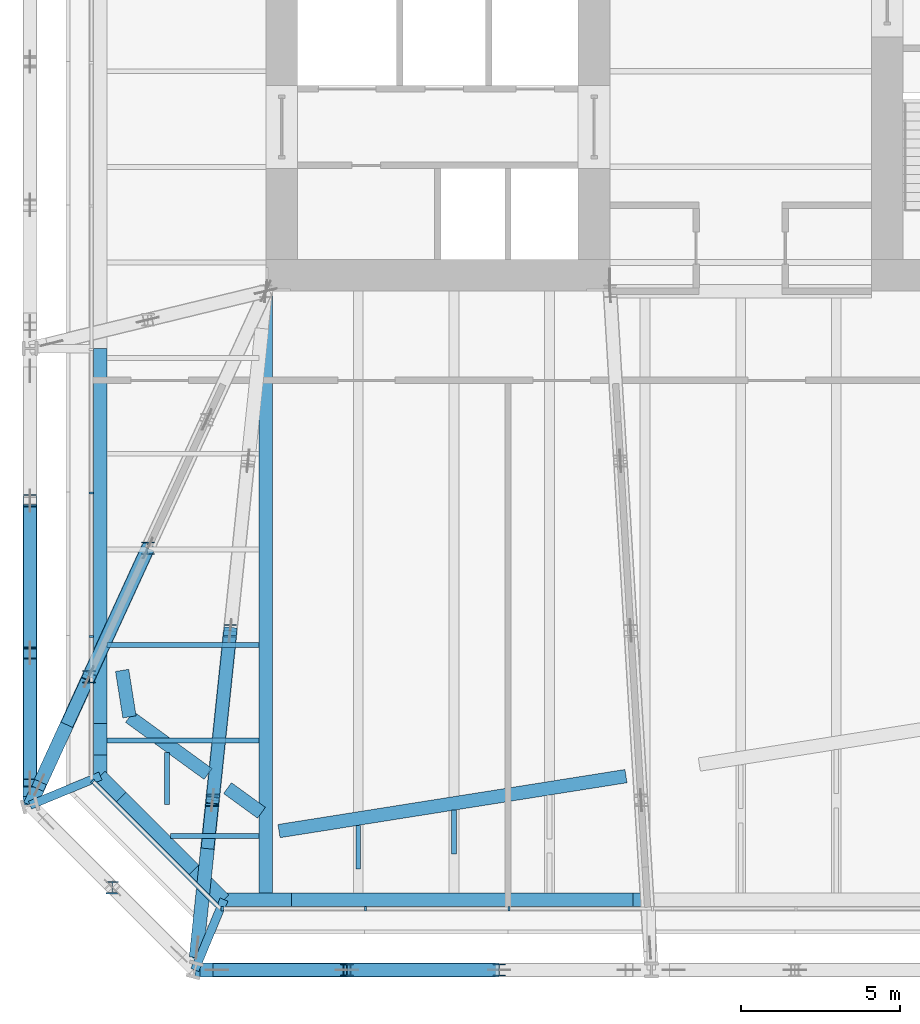
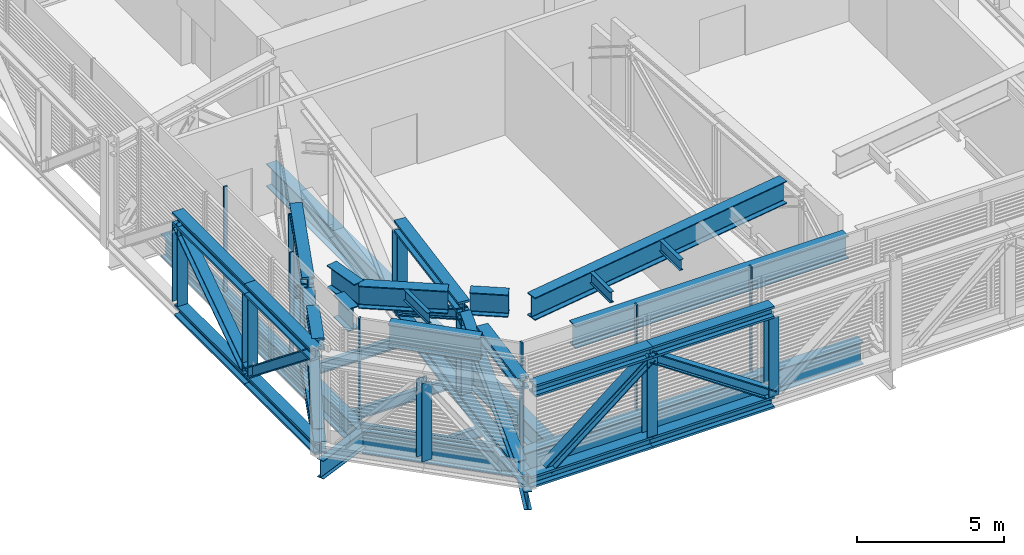
# One storey, part 2 of 31: 35 beams, 24 members, 3 elements without a shape of their own.
"""IFC4 building model written with IfcOpenShell, lengths in metres."""

import ifcopenshell
import ifcopenshell.guid

model = None  # the IFC model being written
_history = None  # IfcOwnerHistory: only IFC2X3 demands one
_inside = {}  # id of a spatial element -> (the spatial element, [elements in it])
_under = {}  # id of a project, library or spatial element -> (it, [spatial elements below it])
_declared = {}  # id of a project -> (the project, [libraries it declares])
_typed = {}  # id of a type object -> (the type object, [elements of that type])
_made_of = {}  # id of a material, layer set ... -> (it, [elements and type objects made of it])


def new_model(schema):
    """Start an empty IFC model of exactly this schema.

    Asked for "IFC4X3", IfcOpenShell would pick the latest addendum, in which some entities
    have other attributes; the version numbers below select the first issue.
    IFC2X3 requires an IfcOwnerHistory on every rooted entity: one is made here for all.
    """
    global model, _history
    if schema == "IFC4X3":
        model = ifcopenshell.file(schema_version=(4, 3, 0, 0))
    else:
        model = ifcopenshell.file(schema=schema)
    _inside.clear()
    _under.clear()
    _declared.clear()
    _typed.clear()
    _made_of.clear()
    _history = None
    if model.schema == "IFC2X3":
        org = make("IfcOrganization", Name="unknown")
        user = make(
            "IfcPersonAndOrganization",
            ThePerson=make("IfcPerson", FamilyName="unknown"),
            TheOrganization=org,
        )
        app = make(
            "IfcApplication",
            ApplicationDeveloper=org,
            Version="unknown",
            ApplicationFullName="unknown",
            ApplicationIdentifier="unknown",
        )
        _history = make(
            "IfcOwnerHistory",
            OwningUser=user,
            OwningApplication=app,
            ChangeAction="ADDED",
            CreationDate=0,
        )
    return model


def make(cls, **values):
    """One entity of the class cls with the attributes given. An attribute that is None is left unset."""
    return model.create_entity(
        cls, **{name: value for name, value in values.items() if value is not None}
    )


def rooted(cls, **values):
    """An entity with a GlobalId (a new one), such as an element, a storey or a relation."""
    return make(cls, GlobalId=ifcopenshell.guid.new(), OwnerHistory=_history, **values)


def si_unit(unit_type, name, prefix=None):
    """IfcSIUnit, for example si_unit("LENGTHUNIT", "METRE", prefix="MILLI")."""
    return make("IfcSIUnit", UnitType=unit_type, Prefix=prefix, Name=name)


def assignment(units):
    """IfcUnitAssignment: the units of a project."""
    return None if units is None else make("IfcUnitAssignment", Units=units)


def point(xyz):
    """IfcCartesianPoint."""
    return None if xyz is None else make("IfcCartesianPoint", Coordinates=xyz)


def direction(xyz):
    """IfcDirection."""
    return None if xyz is None else make("IfcDirection", DirectionRatios=xyz)


def frame(location, z_axis=None, x_axis=None):
    """IfcAxis2Placement3D, a coordinate frame: its origin and axes. An axis left out is left unset."""
    return make(
        "IfcAxis2Placement3D",
        Location=point(location),
        Axis=direction(z_axis),
        RefDirection=direction(x_axis),
    )


def frame_2d(location, x_axis=None):
    """IfcAxis2Placement2D, a coordinate frame in the plane: its origin and x axis."""
    return make(
        "IfcAxis2Placement2D", Location=point(location), RefDirection=direction(x_axis)
    )


def origin():
    """The frame at (0, 0, 0) with its axes left unset."""
    return frame((0.0, 0.0, 0.0))


def origin_2d():
    """The frame at (0, 0) in the plane with its x axis left unset."""
    return frame_2d((0.0, 0.0))


def place(relative_to, where):
    """IfcLocalPlacement: puts the frame where relative to a parent placement (None: the world)."""
    return make(
        "IfcLocalPlacement", PlacementRelTo=relative_to, RelativePlacement=where
    )


def context(
    kind, dimensions, precision=None, world=None, true_north=None, identifier=None
):
    """IfcGeometricRepresentationContext, for example the 3D "Model" context."""
    return make(
        "IfcGeometricRepresentationContext",
        ContextIdentifier=identifier,
        ContextType=kind,
        CoordinateSpaceDimension=dimensions,
        Precision=precision,
        WorldCoordinateSystem=world,
        TrueNorth=true_north,
    )


def subcontext(parent, identifier, kind, view, scale=None):
    """IfcGeometricRepresentationSubContext, for example "Body" below "Model"."""
    return make(
        "IfcGeometricRepresentationSubContext",
        ContextIdentifier=identifier,
        ContextType=kind,
        ParentContext=parent,
        TargetScale=scale,
        TargetView=view,
    )


def project(units=None, contexts=None):
    """IfcProject with its units and contexts."""
    return rooted(
        "IfcProject",
        Name="project",
        RepresentationContexts=contexts,
        UnitsInContext=assignment(units),
    )


def spatial(cls, under=None, at=None, **own):
    """A site, building, storey or space (cls), placed at a placement, below another one or the project."""
    s = rooted(cls, ObjectPlacement=at, **own)
    if under is not None:
        _under.setdefault(under.id(), (under, []))[1].append(s)
    return s


def profile(cls, at=None, kind="AREA", **sizes):
    """A parametric profile (cls). Its sizes go by their IFC names, for example OverallWidth=200.0."""
    return make(cls, ProfileType=kind, Position=at, **sizes)


def rectangle(**sizes):
    """IfcRectangleProfileDef."""
    return profile("IfcRectangleProfileDef", **sizes)


def i_section(**sizes):
    """IfcIShapeProfileDef."""
    return profile("IfcIShapeProfileDef", **sizes)


def extrude(swept, where, along, depth):
    """IfcExtrudedAreaSolid: the profile swept, set in the frame where, extruded along a direction by depth."""
    return make(
        "IfcExtrudedAreaSolid",
        SweptArea=swept,
        Position=where,
        ExtrudedDirection=direction(along),
        Depth=depth,
    )


def shape(context_of_items, identifier, shape_type, items):
    """IfcShapeRepresentation: the items that make up one representation, for example the "Body"."""
    return make(
        "IfcShapeRepresentation",
        ContextOfItems=context_of_items,
        RepresentationIdentifier=identifier,
        RepresentationType=shape_type,
        Items=items,
    )


def material(Name=None, Category=None):
    """IfcMaterial."""
    return make("IfcMaterial", Name=Name, Category=Category)


def layer(
    of_material, thickness, ventilated=None, Name=None, Category=None, Priority=None
):
    """IfcMaterialLayer: one layer of a wall or slab, of a material (None: an air gap)."""
    return make(
        "IfcMaterialLayer",
        Material=of_material,
        LayerThickness=thickness,
        IsVentilated=ventilated,
        Name=Name,
        Category=Category,
        Priority=Priority,
    )


def layer_set(layers, Name=None):
    """IfcMaterialLayerSet."""
    return make("IfcMaterialLayerSet", MaterialLayers=layers, LayerSetName=Name)


def material_profile(
    of_material, cross_section, Name=None, Category=None, Priority=None
):
    """IfcMaterialProfile: a cross section and its material."""
    return make(
        "IfcMaterialProfile",
        Name=Name,
        Material=of_material,
        Profile=cross_section,
        Priority=Priority,
        Category=Category,
    )


def profile_set(profiles, Name=None, composite=None):
    """IfcMaterialProfileSet."""
    return make(
        "IfcMaterialProfileSet",
        Name=Name,
        MaterialProfiles=profiles,
        CompositeProfile=composite,
    )


def made_of(thing, what):
    """Note that an element or type object is made of a material, layer set ...; save() writes the relation."""
    if what is not None:
        _made_of.setdefault(what.id(), (what, []))[1].append(thing)
    return thing


def type_object(cls, material=None, **own):
    """A type object (cls), such as IfcWallType, which elements share."""
    return made_of(rooted(cls, **own), material)


def element(
    cls,
    number,
    at=None,
    inside=None,
    cuts=None,
    type_object=None,
    material=None,
    context=None,
    identifier="Body",
    shape_type=None,
    held_by="IfcProductDefinitionShape",
    body=None,
    shapes=None,
    **own,
):
    """One element of the class cls, such as IfcWall. Its Tag is "e" and its number.

    at: its placement. inside: the storey or other place that contains it. cuts: it is an
    opening in that element (IfcRelVoidsElement). A single representation is given by context,
    identifier, shape_type and body (its items); several are given by shapes. held_by: the class
    of the entity that holds the representations. save() writes the other relations.
    """
    e = rooted(cls, Tag="e%d" % number, ObjectPlacement=at, **own)
    if body is not None:
        shapes = [shape(context, identifier, shape_type, body)]
    if shapes is not None:
        e.Representation = make(held_by, Representations=shapes)
    if inside is not None:
        _inside.setdefault(inside.id(), (inside, []))[1].append(e)
    if cuts is not None:
        rooted(
            "IfcRelVoidsElement", RelatingBuildingElement=cuts, RelatedOpeningElement=e
        )
    if type_object is not None:
        _typed.setdefault(type_object.id(), (type_object, []))[1].append(e)
    return made_of(e, material)


def aggregate(whole, parts):
    """IfcRelAggregates: a whole, such as a stair, and the parts it consists of."""
    return rooted("IfcRelAggregates", RelatingObject=whole, RelatedObjects=parts)


def save(model, path):
    """Write the relations noted so far, then the file.

    IfcRelAggregates (storeys below a building ...), IfcRelContainedInSpatialStructure (elements
    in a storey), IfcRelDefinesByType, IfcRelAssociatesMaterial and IfcRelDeclares: one each for
    every whole, place, type object, material and project.
    """
    for whole, parts in _under.values():
        aggregate(whole, parts)
    for where, things in _inside.values():
        rooted(
            "IfcRelContainedInSpatialStructure",
            RelatedElements=things,
            RelatingStructure=where,
        )
    for kind, things in _typed.values():
        rooted("IfcRelDefinesByType", RelatedObjects=things, RelatingType=kind)
    for what, things in _made_of.values():
        rooted("IfcRelAssociatesMaterial", RelatedObjects=things, RelatingMaterial=what)
    for by, libraries in _declared.values():
        rooted("IfcRelDeclares", RelatingContext=by, RelatedDefinitions=libraries)
    model.write(path)


model = new_model("IFC4")

# Units and contexts
model_context = context("Model", 3, precision=1e-05, world=origin(), true_north=direction((0.0, 1.0)))
body_context = subcontext(model_context, "Body", "Model", "MODEL_VIEW")
ifc_project = project(units=[si_unit("LENGTHUNIT", "METRE"), si_unit("AREAUNIT", "SQUARE_METRE"), si_unit("VOLUMEUNIT", "CUBIC_METRE"), si_unit("PLANEANGLEUNIT", "RADIAN"), si_unit("MASSUNIT", "GRAM", prefix="KILO")], contexts=[model_context])

# Site, building, storey
site_placement = place(None, origin())
site = spatial("IfcSite", under=ifc_project, at=site_placement, CompositionType="ELEMENT")
building_placement = place(site_placement, origin())
building = spatial("IfcBuilding", under=site, at=building_placement, Name="Millrace Tower", CompositionType="ELEMENT")
storey_placement = place(building_placement, frame((0.0, 0.0, 120.39990234375)))
storey = spatial("IfcBuildingStorey", under=building, at=storey_placement, Name="L26", CompositionType="ELEMENT", Elevation=120.39990234375)

# Beams
ifc_material_1 = material(Name="Steel ASTM A992 Grade 50", Category="steel")
ifc_material_profile_1 = material_profile(ifc_material_1, i_section(OverallWidth=0.431884765625, OverallDepth=0.497802734375, WebThickness=0.0556640625, FlangeThickness=0.0888671875, FilletRadius=0.01513671875, at=origin_2d()))
ifc_profile_set_1 = profile_set([ifc_material_profile_1], Name="Steel ASTM A992 Grade 50")
beam_type_1 = type_object("IfcBeamType", Name="Belt truss chord W14x500", PredefinedType="BEAM", material=ifc_profile_set_1)
for number, where, z_axis, x_axis, name in (
    (1, (-17.12841796875, -31.199951171875, 0.2490234375), (1.0, 0.0, 0.0), (0.0, 1.0, 0.0), "BLT-L26-R02-B01"),
    (2, (-12.352294921875, -31.199951171875, 0.2490234375), (1.0, 0.0, 0.0), (0.0, 1.0, 0.0), "BLT-L26-R02-B02"),
    (3, (-12.352294921875, -31.199951171875, 3.9912109375), (1.0, 0.0, 0.0), (0.0, 1.0, 0.0), "BLT-L26-R02-T02"),
    (4, (-22.300048828125, -16.47607421875, 0.2490234375), (0.0, -1.0, 0.0), (1.0, 0.0, 0.0), "BLT-L26-R16-B02"),
):
    element("IfcBeam", number, at=place(storey_placement, frame(where, z_axis=z_axis, x_axis=x_axis)), inside=storey, type_object=beam_type_1, Name=name, PredefinedType="BEAM", context=body_context, shape_type="SweptSolid", body=[
        extrude(i_section(OverallWidth=0.431884765625, OverallDepth=0.497802734375, WebThickness=0.0556640625, FlangeThickness=0.0888671875, FilletRadius=0.01513671875, at=origin_2d()), origin(), (0.0, 0.0, 1.0), 4.776123046875),
    ])
beam_1_placement = place(storey_placement, frame((-22.300048828125, -16.328125, 3.9912109375), z_axis=(0.0, -1.0, 0.0), x_axis=(1.0, 0.0, 0.0)))
element("IfcBeam", 5, at=beam_1_placement, inside=storey, type_object=beam_type_1, Name="BLT-L26-R16-T02", PredefinedType="BEAM", context=body_context, shape_type="SweptSolid", body=[
    extrude(i_section(OverallWidth=0.431884765625, OverallDepth=0.497802734375, WebThickness=0.0556640625, FlangeThickness=0.0888671875, FilletRadius=0.01513671875, at=origin_2d()), origin(), (0.0, 0.0, 1.0), 4.924072265625),
])
beam_2_placement = place(storey_placement, frame((-22.300048828125, -21.252197265625, 0.2490234375), z_axis=(0.0, -1.0, 0.0), x_axis=(1.0, 0.0, 0.0)))
element("IfcBeam", 6, at=beam_2_placement, inside=storey, type_object=beam_type_1, Name="BLT-L26-R16-B03", PredefinedType="BEAM", context=body_context, shape_type="SweptSolid", body=[
    extrude(i_section(OverallWidth=0.431884765625, OverallDepth=0.497802734375, WebThickness=0.0556640625, FlangeThickness=0.0888671875, FilletRadius=0.01513671875, at=origin_2d()), origin(), (0.0, 0.0, 1.0), 4.776123046875),
])
beam_3_placement = place(storey_placement, frame((-16.9599609375, -31.199951171875, 3.9912109375), z_axis=(1.0, 0.0, 0.0), x_axis=(0.0, 1.0, 0.0)))
element("IfcBeam", 7, at=beam_3_placement, inside=storey, type_object=beam_type_1, Name="BLT-L26-R02-T01", PredefinedType="BEAM", context=body_context, shape_type="SweptSolid", body=[
    extrude(i_section(OverallWidth=0.431884765625, OverallDepth=0.497802734375, WebThickness=0.0556640625, FlangeThickness=0.0888671875, FilletRadius=0.01513671875, at=origin_2d()), origin(), (0.0, 0.0, 1.0), 4.607666015625),
])
beam_4_placement = place(storey_placement, frame((-22.300048828125, -21.252197265625, 3.9912109375), z_axis=(0.0, -1.0, 0.0), x_axis=(1.0, 0.0, 0.0)))
element("IfcBeam", 8, at=beam_4_placement, inside=storey, type_object=beam_type_1, Name="BLT-L26-R16-T03", PredefinedType="BEAM", context=body_context, shape_type="SweptSolid", body=[
    extrude(i_section(OverallWidth=0.431884765625, OverallDepth=0.497802734375, WebThickness=0.0556640625, FlangeThickness=0.0888671875, FilletRadius=0.01513671875, at=origin_2d()), origin(), (0.0, 0.0, 1.0), 4.50341796875),
])

# Members
ifc_material_2 = material(Name="Steel ASTM A992 Grade 50", Category="steel")
ifc_material_profile_2 = material_profile(ifc_material_2, i_section(OverallWidth=0.4013671875, OverallDepth=0.398681640625, WebThickness=0.02490234375, FlangeThickness=0.03955078125, FilletRadius=0.01513671875, at=origin_2d()))
ifc_profile_set_2 = profile_set([ifc_material_profile_2], Name="Steel ASTM A992 Grade 50")
member_type_1 = type_object("IfcMemberType", Name="Belt truss diagonal W14x211", PredefinedType="BRACE", material=ifc_profile_set_2)
member_1_placement = place(storey_placement, frame((-16.428466796875, -31.199951171875, 0.498046875), z_axis=(0.782439131655, 0.0, 0.62272707124), x_axis=(0.0, 1.0, 0.0)))
element("IfcMember", 9, at=member_1_placement, inside=storey, type_object=member_type_1, Name="BLT-L26-R02-D01", PredefinedType="BRACE", context=body_context, shape_type="SweptSolid", body=[
    extrude(i_section(OverallWidth=0.4013671875, OverallDepth=0.398681640625, WebThickness=0.02490234375, FlangeThickness=0.03955078125, FilletRadius=0.01513671875, at=origin_2d()), origin(), (0.0, 0.0, 1.0), 5.20947265625),
])
for number, where, z_axis, x_axis, name in (
    (10, (-7.576171875, -31.199951171875, 0.498046875), (-0.827218174589, 0.0, 0.561880851809), (0.0, -1.0, 0.0), "BLT-L26-R02-D02"),
    (11, (-22.300048828125, -21.252197265625, 0.498046875), (0.0, 0.827218174589, 0.561880851809), (-1.0, 0.0, 0.0), "BLT-L26-R16-D02"),
):
    element("IfcMember", number, at=place(storey_placement, frame(where, z_axis=z_axis, x_axis=x_axis)), inside=storey, type_object=member_type_1, Name=name, PredefinedType="BRACE", context=body_context, shape_type="SweptSolid", body=[
        extrude(i_section(OverallWidth=0.4013671875, OverallDepth=0.398681640625, WebThickness=0.02490234375, FlangeThickness=0.03955078125, FilletRadius=0.01513671875, at=origin_2d()), origin(), (0.0, 0.0, 1.0), 5.773681640625),
    ])
member_2_placement = place(storey_placement, frame((-22.300048828125, -21.252197265625, 0.498046875), z_axis=(0.0, -0.782439131655, 0.62272707124), x_axis=(1.0, 0.0, 0.0)))
element("IfcMember", 12, at=member_2_placement, inside=storey, type_object=member_type_1, Name="BLT-L26-R16-D03", PredefinedType="BRACE", context=body_context, shape_type="SweptSolid", body=[
    extrude(i_section(OverallWidth=0.4013671875, OverallDepth=0.398681640625, WebThickness=0.02490234375, FlangeThickness=0.03955078125, FilletRadius=0.01513671875, at=origin_2d()), origin(), (0.0, 0.0, 1.0), 5.20947265625),
])
ifc_material_3 = material(Name="Steel ASTM A992 Grade 50", Category="steel")
ifc_material_profile_3 = material_profile(ifc_material_3, i_section(OverallWidth=0.398681640625, OverallDepth=0.385986328125, WebThickness=0.02099609375, FlangeThickness=0.033203125, FilletRadius=0.01513671875, at=origin_2d()))
ifc_profile_set_3 = profile_set([ifc_material_profile_3], Name="Steel ASTM A992 Grade 50")
member_type_2 = type_object("IfcMemberType", Name="Belt truss post W14x176", PredefinedType="POST", material=ifc_profile_set_3)
for number, where, z_axis, x_axis, name in (
    (13, (-19.714111328125, -28.6142578125, 0.498046875), (0.0, 0.0, 1.0), (1.0, 0.0, 0.0), "BLT-L26-R01-V01"),
    (14, (-12.352294921875, -31.199951171875, 0.498046875), (0.0, 0.0, 1.0), (1.0, 0.0, 0.0), "BLT-L26-R02-V01"),
    (15, (-7.576171875, -31.199951171875, 0.498046875), (0.0, 0.0, 1.0), (1.0, 0.0, 0.0), "BLT-L26-R02-V02"),
    (16, (-22.300048828125, -16.47607421875, 0.498046875), (0.0, 0.0, 1.0), (1.0, 0.0, 0.0), "BLT-L26-R16-V01"),
    (17, (-22.300048828125, -21.252197265625, 0.498046875), (0.0, 0.0, 1.0), (1.0, 0.0, 0.0), "BLT-L26-R16-V02"),
):
    element("IfcMember", number, at=place(storey_placement, frame(where, z_axis=z_axis, x_axis=x_axis)), inside=storey, type_object=member_type_2, Name=name, PredefinedType="POST", context=body_context, shape_type="SweptSolid", body=[
        extrude(i_section(OverallWidth=0.398681640625, OverallDepth=0.385986328125, WebThickness=0.02099609375, FlangeThickness=0.033203125, FilletRadius=0.01513671875, at=origin_2d()), origin(), (0.0, 0.0, 1.0), 3.244140625),
    ])

# Curtain wall, member
ifc_material_4 = material(Name="Aluminium and glass", Category="aluminium")
ifc_layer = layer(ifc_material_4, 0.14990234375)
ifc_layer_set = layer_set([ifc_layer], Name="Aluminium and glass")
curtain_wall_type = type_object("IfcCurtainWallType", Name="CW-5 truss and plant storey louvred infill", PredefinedType="NOTDEFINED", material=ifc_layer_set)
placement = place(storey_placement, origin())
curtain_wall_1 = element("IfcCurtainWall", 18, at=placement, inside=storey, type_object=curtain_wall_type, Name="Curtain wall B-F01 L26", PredefinedType="NOTDEFINED")
ifc_material_5 = material(Name="Aluminium", Category="aluminium")
ifc_material_profile_4 = material_profile(ifc_material_5, rectangle(XDim=0.06494140625, YDim=0.14990234375, at=origin_2d()))
ifc_profile_set_4 = profile_set([ifc_material_profile_4], Name="Aluminium")
member_type_3 = type_object("IfcMemberType", Name="CW-5 truss and plant storey louvred infill mullion", PredefinedType="MULLION", material=ifc_profile_set_4)
member_3_placement = place(storey_placement, frame((-20.330078125, -25.276123046875, 0.14013671875), z_axis=(0.0, 0.0, 1.0), x_axis=(0.707106781187, -0.707106781187, 0.0)))
member_3 = element("IfcMember", 19, at=member_3_placement, type_object=member_type_3, Name="CW5 mullion B-F01.1", PredefinedType="MULLION", context=body_context, shape_type="SweptSolid", body=[
    extrude(rectangle(XDim=0.06494140625, YDim=0.14990234375, at=origin_2d()), origin(), (0.0, 0.0, 1.0), 4.35986328125),
])

# Curtain wall, members
curtain_wall_2 = element("IfcCurtainWall", 20, at=placement, inside=storey, type_object=curtain_wall_type, Name="Curtain wall B-F02 L26", PredefinedType="NOTDEFINED")
member_4_placement = place(storey_placement, frame((-16.267578125, -29.27490234375, 0.14013671875), z_axis=(0.0, 0.0, 1.0), x_axis=(1.0, 0.0, 0.0)))
member_4 = element("IfcMember", 21, at=member_4_placement, type_object=member_type_3, Name="CW5 mullion B-F02.1", PredefinedType="MULLION", context=body_context, shape_type="SweptSolid", body=[
    extrude(rectangle(XDim=0.06494140625, YDim=0.14990234375, at=origin_2d()), origin(), (0.0, 0.0, 1.0), 4.35986328125),
])
member_5_placement = place(storey_placement, frame((-11.767578125, -29.27490234375, 0.14013671875), z_axis=(0.0, 0.0, 1.0), x_axis=(1.0, 0.0, 0.0)))
member_5 = element("IfcMember", 22, at=member_5_placement, type_object=member_type_3, Name="CW5 mullion B-F02.2", PredefinedType="MULLION", context=body_context, shape_type="SweptSolid", body=[
    extrude(rectangle(XDim=0.06494140625, YDim=0.14990234375, at=origin_2d()), origin(), (0.0, 0.0, 1.0), 4.35986328125),
])
member_6_placement = place(storey_placement, frame((-7.267578125, -29.27490234375, 0.14013671875), z_axis=(0.0, 0.0, 1.0), x_axis=(1.0, 0.0, 0.0)))
member_6 = element("IfcMember", 23, at=member_6_placement, type_object=member_type_3, Name="CW5 mullion B-F02.3", PredefinedType="MULLION", context=body_context, shape_type="SweptSolid", body=[
    extrude(rectangle(XDim=0.06494140625, YDim=0.14990234375, at=origin_2d()), origin(), (0.0, 0.0, 1.0), 4.35986328125),
])
aggregate(curtain_wall_2, [member_4, member_5, member_6])

curtain_wall_3 = element("IfcCurtainWall", 24, at=placement, inside=storey, type_object=curtain_wall_type, Name="Curtain wall B-F08 L26", PredefinedType="NOTDEFINED")
member_7_placement = place(storey_placement, frame((-20.375, -16.232421875, 0.14013671875), z_axis=(0.0, 0.0, 1.0), x_axis=(0.0, -1.0, 0.0)))
member_7 = element("IfcMember", 25, at=member_7_placement, type_object=member_type_3, Name="CW5 mullion B-F08.8", PredefinedType="MULLION", context=body_context, shape_type="SweptSolid", body=[
    extrude(rectangle(XDim=0.06494140625, YDim=0.14990234375, at=origin_2d()), origin(), (0.0, 0.0, 1.0), 4.35986328125),
])
member_8_placement = place(storey_placement, frame((-20.375, -20.732421875, 0.14013671875), z_axis=(0.0, 0.0, 1.0), x_axis=(0.0, -1.0, 0.0)))
member_8 = element("IfcMember", 26, at=member_8_placement, type_object=member_type_3, Name="CW5 mullion B-F08.9", PredefinedType="MULLION", context=body_context, shape_type="SweptSolid", body=[
    extrude(rectangle(XDim=0.06494140625, YDim=0.14990234375, at=origin_2d()), origin(), (0.0, 0.0, 1.0), 4.35986328125),
])
aggregate(curtain_wall_3, [member_7, member_8])

# Member
ifc_material_6 = material(Name="Aluminium", Category="aluminium")
ifc_material_profile_5 = material_profile(ifc_material_6, rectangle(XDim=0.14990234375, YDim=0.139892578125, at=origin_2d()))
ifc_profile_set_5 = profile_set([ifc_material_profile_5], Name="Aluminium")
member_type_4 = type_object("IfcMemberType", Name="CW-5 truss and plant storey louvred infill transom", PredefinedType="USERDEFINED", material=ifc_profile_set_5)
member_9_placement = place(storey_placement, frame((-20.2822265625, -25.32373046875, 0.070068359375), z_axis=(0.707084410407, -0.707129151258, 0.0), x_axis=(0.707129151258, 0.707084410407, 0.0)))
member_9 = element("IfcMember", 27, at=member_9_placement, type_object=member_type_4, Name="CW5 transom B-F01.1", ObjectType="TRANSOM", PredefinedType="USERDEFINED", context=body_context, shape_type="SweptSolid", body=[
    extrude(rectangle(XDim=0.14990234375, YDim=0.139892578125, at=origin_2d()), origin(), (0.0, 0.0, 1.0), 5.456787109375),
])

aggregate(curtain_wall_1, [member_3, member_9])

# Beams
ifc_material_7 = material(Name="Steel ASTM A992 Grade 50", Category="steel")
ifc_material_profile_6 = material_profile(ifc_material_7, i_section(OverallWidth=0.15234375, OverallDepth=0.449462890625, WebThickness=0.007568359375, FlangeThickness=0.0107421875, FilletRadius=0.01025390625, at=origin_2d()))
ifc_profile_set_6 = profile_set([ifc_material_profile_6], Name="Steel ASTM A992 Grade 50")
beam_type_2 = type_object("IfcBeamType", Name="Floor beam W18x35", PredefinedType="JOIST", material=ifc_profile_set_6)
for number, where, z_axis, x_axis, name in (
    (28, (-19.87841796875, -24.0, -0.474609375), (1.0, 0.0, 0.0), (0.0, 1.0, 0.0), "BM-B-L26-S1-S003"),
    (29, (-19.87841796875, -21.0, -0.474609375), (1.0, 0.0, 0.0), (0.0, 1.0, 0.0), "BM-B-L26-S1-S005"),
):
    element("IfcBeam", number, at=place(storey_placement, frame(where, z_axis=z_axis, x_axis=x_axis)), inside=storey, type_object=beam_type_2, Name=name, PredefinedType="JOIST", context=body_context, shape_type="SweptSolid", body=[
        extrude(i_section(OverallWidth=0.15234375, OverallDepth=0.449462890625, WebThickness=0.007568359375, FlangeThickness=0.0107421875, FilletRadius=0.01025390625, at=origin_2d()), origin(), (0.0, 0.0, 1.0), 4.766357421875),
    ])
beam_5_placement = place(storey_placement, frame((-18.0, -26.006103515625, 4.115234375), z_axis=(0.0, 1.0, 0.0), x_axis=(-1.0, 0.0, 0.0)))
element("IfcBeam", 30, at=beam_5_placement, inside=storey, type_object=beam_type_2, Name="BM-B-L26-R1-S001", PredefinedType="JOIST", context=body_context, shape_type="SweptSolid", body=[
    extrude(i_section(OverallWidth=0.15234375, OverallDepth=0.449462890625, WebThickness=0.007568359375, FlangeThickness=0.0107421875, FilletRadius=0.01025390625, at=origin_2d()), origin(), (0.0, 0.0, 1.0), 1.63232421875),
])
for number, where, z_axis, x_axis, name in (
    (31, (-12.0, -28.031982421875, 4.115234375), (0.0, 1.0, 0.0), (-1.0, 0.0, 0.0), "BM-B-L26-R1-S003"),
    (32, (-9.0, -27.556884765625, 4.115234375), (0.0, 1.0, 0.0), (-1.0, 0.0, 0.0), "BM-B-L26-R1-S004"),
):
    element("IfcBeam", number, at=place(storey_placement, frame(where, z_axis=z_axis, x_axis=x_axis)), inside=storey, type_object=beam_type_2, Name=name, PredefinedType="JOIST", context=body_context, shape_type="SweptSolid", body=[
        extrude(i_section(OverallWidth=0.15234375, OverallDepth=0.449462890625, WebThickness=0.007568359375, FlangeThickness=0.0107421875, FilletRadius=0.01025390625, at=origin_2d()), origin(), (0.0, 0.0, 1.0), 1.37158203125),
    ])
beam_6_placement = place(storey_placement, frame((-17.8916015625, -27.0, -0.474609375), z_axis=(1.0, 0.0, 0.0), x_axis=(0.0, 1.0, 0.0)))
element("IfcBeam", 33, at=beam_6_placement, inside=storey, type_object=beam_type_2, Name="BM-B-L26-S1-S001", PredefinedType="JOIST", context=body_context, shape_type="SweptSolid", body=[
    extrude(i_section(OverallWidth=0.15234375, OverallDepth=0.449462890625, WebThickness=0.007568359375, FlangeThickness=0.0107421875, FilletRadius=0.01025390625, at=origin_2d()), origin(), (0.0, 0.0, 1.0), 2.779541015625),
])
ifc_material_8 = material(Name="Steel ASTM A992 Grade 50", Category="steel")
ifc_material_profile_7 = material_profile(ifc_material_8, i_section(OverallWidth=0.424072265625, OverallDepth=0.947509765625, WebThickness=0.02392578125, FlangeThickness=0.042724609375, FilletRadius=0.024169921875, at=origin_2d()))
ifc_profile_set_7 = profile_set([ifc_material_profile_7], Name="Steel ASTM A992 Grade 50")
beam_type_3 = type_object("IfcBeamType", Name="Girder medium span W36x302", PredefinedType="BEAM", material=ifc_profile_set_7)
beam_7_placement = place(storey_placement, frame((-14.89990234375, -28.7783203125, -0.7236328125), z_axis=(0.0, 1.0, 0.0), x_axis=(-1.0, 0.0, 0.0)))
element("IfcBeam", 34, at=beam_7_placement, inside=storey, type_object=beam_type_3, Name="BM-B-L26-S1-G059", PredefinedType="BEAM", context=body_context, shape_type="SweptSolid", body=[
    extrude(i_section(OverallWidth=0.424072265625, OverallDepth=0.947509765625, WebThickness=0.02392578125, FlangeThickness=0.042724609375, FilletRadius=0.024169921875, at=origin_2d()), origin(), (0.0, 0.0, 1.0), 18.87841796875),
])
ifc_material_9 = material(Name="Steel ASTM A992 Grade 50", Category="steel")
ifc_material_profile_8 = material_profile(ifc_material_9, i_section(OverallWidth=0.2666015625, OverallDepth=0.7568359375, WebThickness=0.013916015625, FlangeThickness=0.019287109375, FilletRadius=0.0166015625, at=origin_2d()))
ifc_profile_set_8 = profile_set([ifc_material_profile_8], Name="Steel ASTM A992 Grade 50")
beam_type_4 = type_object("IfcBeamType", Name="Link beam W30x108", PredefinedType="BEAM", material=ifc_profile_set_8)
beam_8_placement = place(storey_placement, frame((-20.089111328125, -25.11279296875, -0.62841796875), z_axis=(-0.92391985502, -0.382586070707, 0.0), x_axis=(0.382586070707, -0.92391985502, 0.0)))
element("IfcBeam", 35, at=beam_8_placement, inside=storey, type_object=beam_type_4, Name="LNK-B-L26-S1-01", PredefinedType="BEAM", context=body_context, shape_type="SweptSolid", body=[
    extrude(i_section(OverallWidth=0.2666015625, OverallDepth=0.7568359375, WebThickness=0.013916015625, FlangeThickness=0.019287109375, FilletRadius=0.0166015625, at=origin_2d()), origin(), (0.0, 0.0, 1.0), 2.39306640625),
])
beam_9_placement = place(storey_placement, frame((-16.212646484375, -28.9892578125, -0.62841796875), z_axis=(-0.382709226705, -0.923868847724, 0.0), x_axis=(0.923868847724, -0.382709226705, 0.0)))
element("IfcBeam", 36, at=beam_9_placement, inside=storey, type_object=beam_type_4, Name="LNK-B-L26-S1-16", PredefinedType="BEAM", context=body_context, shape_type="SweptSolid", body=[
    extrude(i_section(OverallWidth=0.2666015625, OverallDepth=0.7568359375, WebThickness=0.013916015625, FlangeThickness=0.019287109375, FilletRadius=0.0166015625, at=origin_2d()), origin(), (0.0, 0.0, 1.0), 2.392822265625),
])
ifc_material_10 = material(Name="Steel ASTM A992 Grade 50", Category="steel")
ifc_material_profile_9 = material_profile(ifc_material_10, i_section(OverallWidth=0.431884765625, OverallDepth=0.497802734375, WebThickness=0.0556640625, FlangeThickness=0.0888671875, FilletRadius=0.01513671875, at=origin_2d()))
ifc_profile_set_9 = profile_set([ifc_material_profile_9], Name="Steel ASTM A992 Grade 50")
beam_type_5 = type_object("IfcBeamType", Name="Outrigger truss chord W14x500", PredefinedType="BEAM", material=ifc_profile_set_9)
for number, where, z_axis, x_axis, name in (
    (37, (-18.60009765625, -17.964111328125, 0.2490234375), (-0.416980614578, -0.908915379486, 0.0), (0.908915379486, -0.416980614578, 0.0), "BLT-L26-O01-B03"),
    (38, (-18.60009765625, -17.964111328125, 3.9912109375), (-0.416980614578, -0.908915379486, 0.0), (0.908915379486, -0.416980614578, 0.0), "BLT-L26-O01-T03"),
    (39, (-20.449951171875, -21.996337890625, 0.2490234375), (-0.417046936327, -0.90888495031, 0.0), (0.90888495031, -0.417046936327, 0.0), "BLT-L26-O01-B04"),
):
    element("IfcBeam", number, at=place(storey_placement, frame(where, z_axis=z_axis, x_axis=x_axis)), inside=storey, type_object=beam_type_5, Name=name, PredefinedType="BEAM", context=body_context, shape_type="SweptSolid", body=[
        extrude(i_section(OverallWidth=0.431884765625, OverallDepth=0.497802734375, WebThickness=0.0556640625, FlangeThickness=0.0888671875, FilletRadius=0.01513671875, at=origin_2d()), origin(), (0.0, 0.0, 1.0), 4.436279296875),
    ])
for number, where, z_axis, x_axis, name in (
    (40, (-16.01416015625, -20.550048828125, 0.2490234375), (-0.104058113839, -0.994571218639, 0.0), (0.994571218639, -0.104058113839, 0.0), "BLT-L26-O02-B03"),
    (41, (-16.01416015625, -20.550048828125, 3.9912109375), (-0.104058113839, -0.994571218639, 0.0), (0.994571218639, -0.104058113839, 0.0), "BLT-L26-O02-T03"),
    (42, (-16.5712890625, -25.875, 0.2490234375), (-0.104058113839, -0.994571218639, 0.0), (0.994571218639, -0.104058113839, 0.0), "BLT-L26-O02-B04"),
):
    element("IfcBeam", number, at=place(storey_placement, frame(where, z_axis=z_axis, x_axis=x_axis)), inside=storey, type_object=beam_type_5, Name=name, PredefinedType="BEAM", context=body_context, shape_type="SweptSolid", body=[
        extrude(i_section(OverallWidth=0.431884765625, OverallDepth=0.497802734375, WebThickness=0.0556640625, FlangeThickness=0.0888671875, FilletRadius=0.01513671875, at=origin_2d()), origin(), (0.0, 0.0, 1.0), 5.35400390625),
    ])
beam_10_placement = place(storey_placement, frame((-21.142333984375, -23.50537109375, 3.9912109375), z_axis=(-0.417067291009, -0.908875610175, 0.0), x_axis=(0.908875610175, -0.417067291009, 0.0)))
element("IfcBeam", 43, at=beam_10_placement, inside=storey, type_object=beam_type_5, Name="BLT-L26-O01-T04", PredefinedType="BEAM", context=body_context, shape_type="SweptSolid", body=[
    extrude(i_section(OverallWidth=0.431884765625, OverallDepth=0.497802734375, WebThickness=0.0556640625, FlangeThickness=0.0888671875, FilletRadius=0.01513671875, at=origin_2d()), origin(), (0.0, 0.0, 1.0), 1.976318359375),
])
beam_11_placement = place(storey_placement, frame((-16.72998046875, -27.391845703125, 3.9912109375), z_axis=(-0.104033723887, -0.994573770162, 0.0), x_axis=(0.994573770162, -0.104033723887, 0.0)))
element("IfcBeam", 44, at=beam_11_placement, inside=storey, type_object=beam_type_5, Name="BLT-L26-O02-T04", PredefinedType="BEAM", context=body_context, shape_type="SweptSolid", body=[
    extrude(i_section(OverallWidth=0.431884765625, OverallDepth=0.497802734375, WebThickness=0.0556640625, FlangeThickness=0.0888671875, FilletRadius=0.01513671875, at=origin_2d()), origin(), (0.0, 0.0, 1.0), 3.435546875),
])

# Members
ifc_material_11 = material(Name="Steel ASTM A992 Grade 50", Category="steel")
ifc_material_profile_10 = material_profile(ifc_material_11, i_section(OverallWidth=0.4013671875, OverallDepth=0.398681640625, WebThickness=0.02490234375, FlangeThickness=0.03955078125, FilletRadius=0.01513671875, at=origin_2d()))
ifc_profile_set_10 = profile_set([ifc_material_profile_10], Name="Steel ASTM A992 Grade 50")
member_type_5 = type_object("IfcMemberType", Name="Outrigger truss diagonal W14x211", PredefinedType="BRACE", material=ifc_profile_set_10)
member_10_placement = place(storey_placement, frame((-18.60009765625, -17.964111328125, 0.498046875), z_axis=(-0.336586015748, -0.733674889283, 0.590280451005), x_axis=(0.908915379486, -0.416980614578, 0.0)))
element("IfcMember", 45, at=member_10_placement, inside=storey, type_object=member_type_5, Name="BLT-L26-O01-D03", PredefinedType="BRACE", context=body_context, shape_type="SweptSolid", body=[
    extrude(i_section(OverallWidth=0.4013671875, OverallDepth=0.398681640625, WebThickness=0.02490234375, FlangeThickness=0.03955078125, FilletRadius=0.01513671875, at=origin_2d()), origin(), (0.0, 0.0, 1.0), 5.495849609375),
])
member_11_placement = place(storey_placement, frame((-22.008056640625, -25.39208984375, 0.498046875), z_axis=(0.314892357136, 0.686279817519, 0.655639241872), x_axis=(-0.908890457465, 0.417034934182, 0.0)))
element("IfcMember", 46, at=member_11_placement, inside=storey, type_object=member_type_5, Name="BLT-L26-O01-D04", PredefinedType="BRACE", context=body_context, shape_type="SweptSolid", body=[
    extrude(i_section(OverallWidth=0.4013671875, OverallDepth=0.398681640625, WebThickness=0.02490234375, FlangeThickness=0.03955078125, FilletRadius=0.01513671875, at=origin_2d()), origin(), (0.0, 0.0, 1.0), 4.947998046875),
])
member_12_placement = place(storey_placement, frame((-16.01416015625, -20.550048828125, 0.498046875), z_axis=(-0.088995563981, -0.850605716914, 0.518217815155), x_axis=(0.994571218639, -0.104058113839, 0.0)))
element("IfcMember", 47, at=member_12_placement, inside=storey, type_object=member_type_5, Name="BLT-L26-O02-D03", PredefinedType="BRACE", context=body_context, shape_type="SweptSolid", body=[
    extrude(i_section(OverallWidth=0.4013671875, OverallDepth=0.398681640625, WebThickness=0.02490234375, FlangeThickness=0.03955078125, FilletRadius=0.01513671875, at=origin_2d()), origin(), (0.0, 0.0, 1.0), 6.26025390625),
])
member_13_placement = place(storey_placement, frame((-17.0556640625, -30.50390625, 0.498046875), z_axis=(0.085378651623, 0.815916953006, 0.571830404617), x_axis=(-0.99456964943, 0.104073110995, 0.0)))
element("IfcMember", 48, at=member_13_placement, inside=storey, type_object=member_type_5, Name="BLT-L26-O02-D04", PredefinedType="BRACE", context=body_context, shape_type="SweptSolid", body=[
    extrude(i_section(OverallWidth=0.4013671875, OverallDepth=0.398681640625, WebThickness=0.02490234375, FlangeThickness=0.03955078125, FilletRadius=0.01513671875, at=origin_2d()), origin(), (0.0, 0.0, 1.0), 5.67333984375),
])
ifc_material_12 = material(Name="Steel ASTM A992 Grade 50", Category="steel")
ifc_material_profile_11 = material_profile(ifc_material_12, i_section(OverallWidth=0.398681640625, OverallDepth=0.385986328125, WebThickness=0.02099609375, FlangeThickness=0.033203125, FilletRadius=0.01513671875, at=origin_2d()))
ifc_profile_set_11 = profile_set([ifc_material_profile_11], Name="Steel ASTM A992 Grade 50")
member_type_6 = type_object("IfcMemberType", Name="Outrigger truss post W14x176", PredefinedType="POST", material=ifc_profile_set_11)
for number, where, z_axis, x_axis, name in (
    (49, (-18.60009765625, -17.964111328125, 0.498046875), (0.0, 0.0, 1.0), (1.0, 0.0, 0.0), "BLT-L26-O01-V02"),
    (50, (-20.449951171875, -21.996337890625, 0.498046875), (0.0, 0.0, 1.0), (1.0, 0.0, 0.0), "BLT-L26-O01-V03"),
    (51, (-16.01416015625, -20.550048828125, 0.498046875), (0.0, 0.0, 1.0), (1.0, 0.0, 0.0), "BLT-L26-O02-V02"),
    (52, (-16.5712890625, -25.875, 0.498046875), (0.0, 0.0, 1.0), (1.0, 0.0, 0.0), "BLT-L26-O02-V03"),
):
    element("IfcMember", number, at=place(storey_placement, frame(where, z_axis=z_axis, x_axis=x_axis)), inside=storey, type_object=member_type_6, Name=name, PredefinedType="POST", context=body_context, shape_type="SweptSolid", body=[
        extrude(i_section(OverallWidth=0.398681640625, OverallDepth=0.385986328125, WebThickness=0.02099609375, FlangeThickness=0.033203125, FilletRadius=0.01513671875, at=origin_2d()), origin(), (0.0, 0.0, 1.0), 3.244140625),
    ])

# Beams
ifc_material_13 = material(Name="Steel ASTM A992 Grade 50", Category="steel")
ifc_material_profile_12 = material_profile(ifc_material_13, i_section(OverallWidth=0.421630859375, OverallDepth=0.937255859375, WebThickness=0.021240234375, FlangeThickness=0.03662109375, FilletRadius=0.024169921875, at=origin_2d()))
ifc_profile_set_12 = profile_set([ifc_material_profile_12], Name="Steel ASTM A992 Grade 50")
beam_type_6 = type_object("IfcBeamType", Name="Ring beam medium span W36x262", PredefinedType="SPANDREL", material=ifc_profile_set_12)
beam_12_placement = place(storey_placement, frame((-20.089111328125, -25.11279296875, -0.718505859375), z_axis=(0.0, 1.0, 0.0), x_axis=(-1.0, 0.0, 0.0)))
element("IfcBeam", 53, at=beam_12_placement, inside=storey, type_object=beam_type_6, Name="RNG-B-L26-S1-01", PredefinedType="SPANDREL", context=body_context, shape_type="SweptSolid", body=[
    extrude(i_section(OverallWidth=0.421630859375, OverallDepth=0.937255859375, WebThickness=0.021240234375, FlangeThickness=0.03662109375, FilletRadius=0.024169921875, at=origin_2d()), origin(), (0.0, 0.0, 1.0), 13.412841796875),
])
beam_13_placement = place(storey_placement, frame((-2.800048828125, -28.9892578125, -0.718505859375), z_axis=(-1.0, 0.0, 0.0), x_axis=(0.0, -1.0, 0.0)))
element("IfcBeam", 54, at=beam_13_placement, inside=storey, type_object=beam_type_6, Name="RNG-B-L26-S1-15", PredefinedType="SPANDREL", context=body_context, shape_type="SweptSolid", body=[
    extrude(i_section(OverallWidth=0.421630859375, OverallDepth=0.937255859375, WebThickness=0.021240234375, FlangeThickness=0.03662109375, FilletRadius=0.024169921875, at=origin_2d()), origin(), (0.0, 0.0, 1.0), 13.41259765625),
])
ifc_material_14 = material(Name="Steel ASTM A992 Grade 50", Category="steel")
ifc_material_profile_13 = material_profile(ifc_material_14, i_section(OverallWidth=0.421630859375, OverallDepth=0.937255859375, WebThickness=0.021240234375, FlangeThickness=0.03662109375, FilletRadius=0.024169921875, at=origin_2d()))
ifc_profile_set_13 = profile_set([ifc_material_profile_13], Name="Steel ASTM A992 Grade 50")
beam_type_7 = type_object("IfcBeamType", Name="Ring beam short span W36x262", PredefinedType="SPANDREL", material=ifc_profile_set_13)
beam_14_placement = place(storey_placement, frame((-16.212646484375, -28.9892578125, -0.718505859375), z_axis=(-0.707106781187, 0.707106781187, 0.0), x_axis=(-0.707106781187, -0.707106781187, 0.0)))
element("IfcBeam", 55, at=beam_14_placement, inside=storey, type_object=beam_type_7, Name="RNG-B-L26-S1-16", PredefinedType="SPANDREL", context=body_context, shape_type="SweptSolid", body=[
    extrude(i_section(OverallWidth=0.421630859375, OverallDepth=0.937255859375, WebThickness=0.021240234375, FlangeThickness=0.03662109375, FilletRadius=0.024169921875, at=origin_2d()), origin(), (0.0, 0.0, 1.0), 5.482177734375),
])
beam_15_placement = place(storey_placement, frame((-19.17822265625, -23.25732421875, 3.87158203125), z_axis=(0.809037277877, -0.587757333433, 0.0), x_axis=(0.587757333433, 0.809037277877, 0.0)))
element("IfcBeam", 56, at=beam_15_placement, inside=storey, type_object=beam_type_7, Name="RNG-B-L26-R1-08-a", PredefinedType="SPANDREL", context=body_context, shape_type="SweptSolid", body=[
    extrude(i_section(OverallWidth=0.421630859375, OverallDepth=0.937255859375, WebThickness=0.021240234375, FlangeThickness=0.03662109375, FilletRadius=0.024169921875, at=origin_2d()), origin(), (0.0, 0.0, 1.0), 3.04833984375),
])
beam_16_placement = place(storey_placement, frame((-14.486328125, -26.8408203125, 3.87158203125), z_axis=(0.987688867983, 0.156431135207, 0.0), x_axis=(-0.156431135207, 0.987688867983, 0.0)))
element("IfcBeam", 57, at=beam_16_placement, inside=storey, type_object=beam_type_7, Name="RNG-B-L26-R1-09-a", PredefinedType="SPANDREL", context=body_context, shape_type="SweptSolid", body=[
    extrude(i_section(OverallWidth=0.421630859375, OverallDepth=0.937255859375, WebThickness=0.021240234375, FlangeThickness=0.03662109375, FilletRadius=0.024169921875, at=origin_2d()), origin(), (0.0, 0.0, 1.0), 11.023193359375),
])
beam_17_placement = place(storey_placement, frame((-17.15283203125, -28.049072265625, 3.87158203125), z_axis=(-0.707106781187, 0.707106781187, 0.0), x_axis=(-0.707106781187, -0.707106781187, 0.0)))
element("IfcBeam", 58, at=beam_17_placement, inside=storey, type_object=beam_type_7, Name="RNG-B-L26-R1-05", PredefinedType="SPANDREL", context=body_context, shape_type="SweptSolid", body=[
    extrude(i_section(OverallWidth=0.421630859375, OverallDepth=0.937255859375, WebThickness=0.021240234375, FlangeThickness=0.03662109375, FilletRadius=0.024169921875, at=origin_2d()), origin(), (0.0, 0.0, 1.0), 3.220703125),
])
beam_18_placement = place(storey_placement, frame((-19.4091796875, -21.79833984375, 3.87158203125), z_axis=(0.156352974695, -0.987701243952, 0.0), x_axis=(0.987701243952, 0.156352974695, 0.0)))
element("IfcBeam", 59, at=beam_18_placement, inside=storey, type_object=beam_type_7, Name="RNG-B-L26-R1-07", PredefinedType="SPANDREL", context=body_context, shape_type="SweptSolid", body=[
    extrude(i_section(OverallWidth=0.421630859375, OverallDepth=0.937255859375, WebThickness=0.021240234375, FlangeThickness=0.03662109375, FilletRadius=0.024169921875, at=origin_2d()), origin(), (0.0, 0.0, 1.0), 1.47705078125),
])
beam_19_placement = place(storey_placement, frame((-16.102294921875, -25.4921875, 3.87158203125), z_axis=(0.809072672881, -0.587708609769, 0.0), x_axis=(0.587708609769, 0.809072672881, 0.0)))
element("IfcBeam", 60, at=beam_19_placement, inside=storey, type_object=beam_type_7, Name="RNG-B-L26-R1-08-b", PredefinedType="SPANDREL", context=body_context, shape_type="SweptSolid", body=[
    extrude(i_section(OverallWidth=0.421630859375, OverallDepth=0.937255859375, WebThickness=0.021240234375, FlangeThickness=0.03662109375, FilletRadius=0.024169921875, at=origin_2d()), origin(), (0.0, 0.0, 1.0), 1.31689453125),
])
beam_20_placement = place(storey_placement, frame((-3.37158203125, -28.9892578125, 3.87158203125), z_axis=(-1.0, 0.0, 0.0), x_axis=(0.0, -1.0, 0.0)))
element("IfcBeam", 61, at=beam_20_placement, inside=storey, type_object=beam_type_7, Name="RNG-B-L26-R1-04", PredefinedType="SPANDREL", context=body_context, shape_type="SweptSolid", body=[
    extrude(i_section(OverallWidth=0.421630859375, OverallDepth=0.937255859375, WebThickness=0.021240234375, FlangeThickness=0.03662109375, FilletRadius=0.024169921875, at=origin_2d()), origin(), (0.0, 0.0, 1.0), 10.729248046875),
])
beam_21_placement = place(storey_placement, frame((-20.089111328125, -24.4462890625, 3.87158203125), z_axis=(0.0, 1.0, 0.0), x_axis=(-1.0, 0.0, 0.0)))
element("IfcBeam", 62, at=beam_21_placement, inside=storey, type_object=beam_type_7, Name="RNG-B-L26-R1-06", PredefinedType="SPANDREL", context=body_context, shape_type="SweptSolid", body=[
    extrude(i_section(OverallWidth=0.421630859375, OverallDepth=0.937255859375, WebThickness=0.021240234375, FlangeThickness=0.03662109375, FilletRadius=0.024169921875, at=origin_2d()), origin(), (0.0, 0.0, 1.0), 0.987060546875),
])

save(model, "model.ifc")
